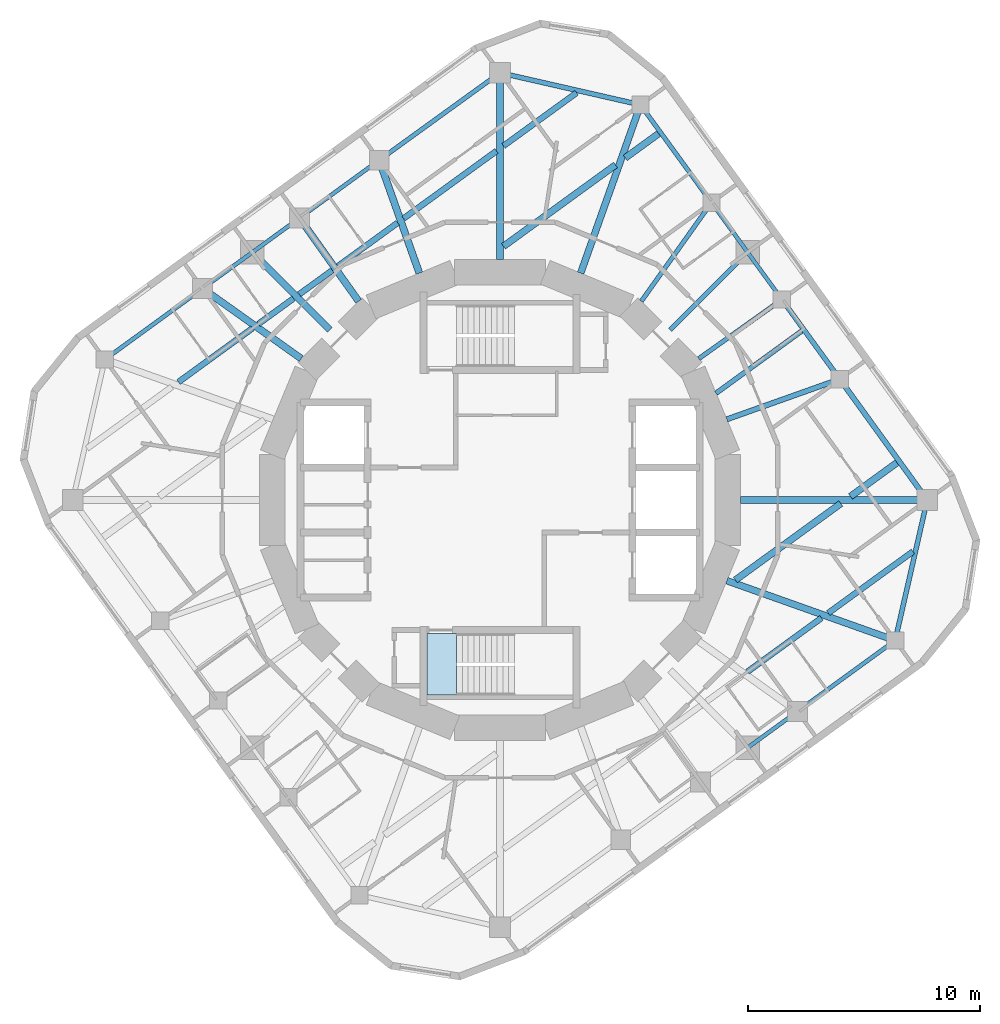
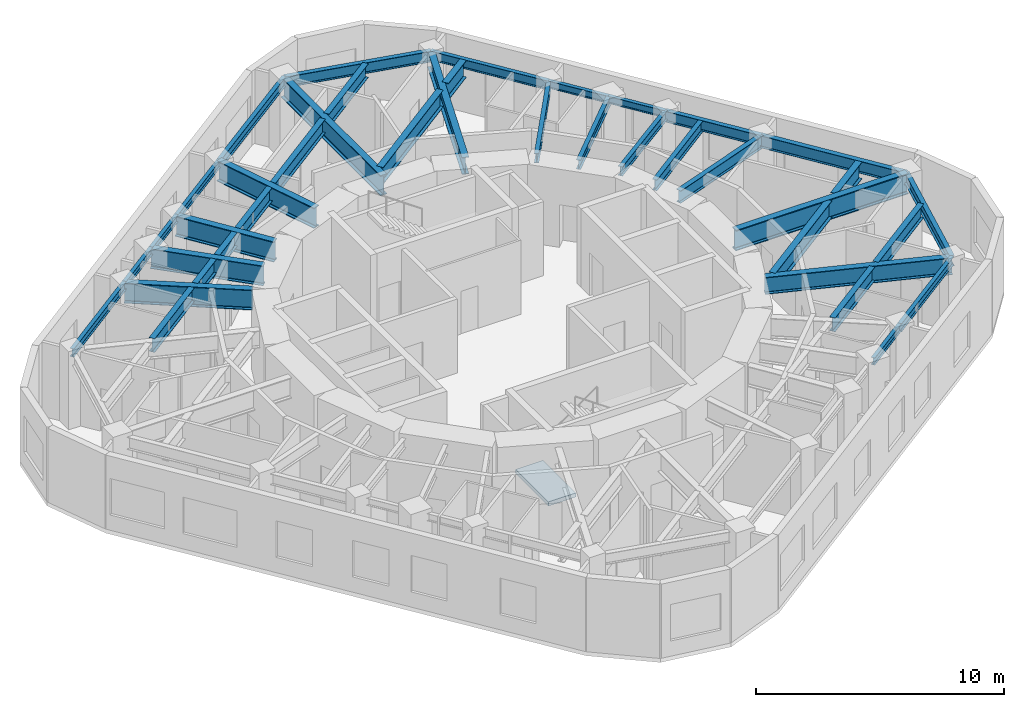
# One storey, part 2 of 9: 39 beams, 1 slab, 1 element without a shape of its own.
"""IFC4 building model written with IfcOpenShell, lengths in metres."""

from ifc_helpers import new_model, si_unit, direction, frame, origin, origin_2d, place, context, subcontext, project, spatial, polyline, i_section, outline, extrude, material, layer, layer_set, material_profile, profile_set, type_object, element, aggregate, save


model = new_model("IFC4")

# Units and contexts
model_context = context("Model", 3, precision=1e-05, world=origin(), true_north=direction((0.0, 1.0)))
body_context = subcontext(model_context, "Body", "Model", "MODEL_VIEW")
ifc_project = project(units=[si_unit("LENGTHUNIT", "METRE"), si_unit("AREAUNIT", "SQUARE_METRE"), si_unit("VOLUMEUNIT", "CUBIC_METRE"), si_unit("PLANEANGLEUNIT", "RADIAN"), si_unit("MASSUNIT", "GRAM", prefix="KILO")], contexts=[model_context])

# Site, building, storey
site_placement = place(None, origin())
site = spatial("IfcSite", under=ifc_project, at=site_placement, CompositionType="ELEMENT")
building_placement = place(site_placement, origin())
building = spatial("IfcBuilding", under=site, at=building_placement, Name="Nakasero Lantern House", CompositionType="ELEMENT")
storey_placement = place(building_placement, frame((0.0, 0.0, 294.550048828125)))
storey = spatial("IfcBuildingStorey", under=building, at=storey_placement, Name="L72", CompositionType="ELEMENT", Elevation=294.550048828125)

# Beams
ifc_material_1 = material(Name="Steel S355", Category="steel")
ifc_material_profile_1 = material_profile(ifc_material_1, i_section(OverallWidth=0.2099609375, OverallDepth=0.53662109375, WebThickness=0.0107421875, FlangeThickness=0.017333984375, FilletRadius=0.0126953125, at=origin_2d()), Name="UB 533x210x101")
ifc_profile_set_1 = profile_set([ifc_material_profile_1], Name="Steel S355")
beam_type_1 = type_object("IfcBeamType", Name="Infill beam UB 533x210x101", PredefinedType="JOIST", material=ifc_profile_set_1)
beam_1_placement = place(storey_placement, frame((9.306396484375, 4.598388671875, 3.381591796875), z_axis=(0.809018255439, 0.587783516583, 0.0), x_axis=(-0.587783516583, 0.809018255439, 0.0)))
element("IfcBeam", 1, at=beam_1_placement, inside=storey, type_object=beam_type_1, Name="Infill beam L73 06.1", PredefinedType="JOIST", context=body_context, shape_type="SweptSolid", body=[
    extrude(i_section(OverallWidth=0.2099609375, OverallDepth=0.53662109375, WebThickness=0.0107421875, FlangeThickness=0.017333984375, FilletRadius=0.0126953125, at=origin_2d()), origin(), (0.0, 0.0, 1.0), 4.563232421875),
])
ifc_material_2 = material(Name="Steel S355", Category="steel")
ifc_material_profile_2 = material_profile(ifc_material_2, i_section(OverallWidth=0.253662109375, OverallDepth=0.68359375, WebThickness=0.012451171875, FlangeThickness=0.01904296875, FilletRadius=0.01513671875, at=origin_2d()), Name="UB 686x254x140")
ifc_profile_set_2 = profile_set([ifc_material_profile_2], Name="Steel S355")
beam_type_2 = type_object("IfcBeamType", Name="Infill beam UB 686x254x140", PredefinedType="JOIST", material=ifc_profile_set_2)
beam_2_placement = place(storey_placement, frame((10.660400390625, -7.396728515625, 3.30810546875), z_axis=(0.809011841835, 0.58779234409, 0.0), x_axis=(-0.58779234409, 0.809011841835, 0.0)))
element("IfcBeam", 2, at=beam_2_placement, inside=storey, type_object=beam_type_2, Name="Infill beam L73 03.6", PredefinedType="JOIST", context=body_context, shape_type="SweptSolid", body=[
    extrude(i_section(OverallWidth=0.253662109375, OverallDepth=0.68359375, WebThickness=0.012451171875, FlangeThickness=0.01904296875, FilletRadius=0.01513671875, at=origin_2d()), origin(), (0.0, 0.0, 1.0), 3.942138671875),
])
beam_3_placement = place(storey_placement, frame((14.136474609375, -4.87109375, 3.30810546875), z_axis=(0.808998054221, 0.587811320295, 0.0), x_axis=(-0.587811320295, 0.808998054221, 0.0)))
element("IfcBeam", 3, at=beam_3_placement, inside=storey, type_object=beam_type_2, Name="Infill beam L73 03.7", PredefinedType="JOIST", context=body_context, shape_type="SweptSolid", body=[
    extrude(i_section(OverallWidth=0.253662109375, OverallDepth=0.68359375, WebThickness=0.012451171875, FlangeThickness=0.01904296875, FilletRadius=0.01513671875, at=origin_2d()), origin(), (0.0, 0.0, 1.0), 4.51220703125),
])
beam_4_placement = place(storey_placement, frame((-13.849609375, 5.07958984375, 3.30810546875), z_axis=(0.809011841835, 0.58779234409, 0.0), x_axis=(-0.58779234409, 0.809011841835, 0.0)))
element("IfcBeam", 4, at=beam_4_placement, inside=storey, type_object=beam_type_2, Name="Infill beam L73 10.2", PredefinedType="JOIST", context=body_context, shape_type="SweptSolid", body=[
    extrude(i_section(OverallWidth=0.253662109375, OverallDepth=0.68359375, WebThickness=0.012451171875, FlangeThickness=0.01904296875, FilletRadius=0.01513671875, at=origin_2d()), origin(), (0.0, 0.0, 1.0), 3.942138671875),
])
beam_5_placement = place(storey_placement, frame((-10.404296875, 7.582763671875, 3.30810546875), z_axis=(0.809080675426, 0.587697592859, 0.0), x_axis=(-0.587697592859, 0.809080675426, 0.0)))
element("IfcBeam", 5, at=beam_5_placement, inside=storey, type_object=beam_type_2, Name="Infill beam L73 10.3", PredefinedType="JOIST", context=body_context, shape_type="SweptSolid", body=[
    extrude(i_section(OverallWidth=0.253662109375, OverallDepth=0.68359375, WebThickness=0.012451171875, FlangeThickness=0.01904296875, FilletRadius=0.01513671875, at=origin_2d()), origin(), (0.0, 0.0, 1.0), 1.8681640625),
])
beam_6_placement = place(storey_placement, frame((-8.647216796875, 8.859375, 3.30810546875), z_axis=(0.80904738199, 0.587743425054, 0.0), x_axis=(-0.587743425054, 0.80904738199, 0.0)))
element("IfcBeam", 6, at=beam_6_placement, inside=storey, type_object=beam_type_2, Name="Infill beam L73 10.4", PredefinedType="JOIST", context=body_context, shape_type="SweptSolid", body=[
    extrude(i_section(OverallWidth=0.253662109375, OverallDepth=0.68359375, WebThickness=0.012451171875, FlangeThickness=0.01904296875, FilletRadius=0.01513671875, at=origin_2d()), origin(), (0.0, 0.0, 1.0), 1.762939453125),
])
beam_7_placement = place(storey_placement, frame((-6.978271484375, 10.07177734375, 3.30810546875), z_axis=(0.809038119983, 0.587756174288, 0.0), x_axis=(-0.587756174288, 0.809038119983, 0.0)))
element("IfcBeam", 7, at=beam_7_placement, inside=storey, type_object=beam_type_2, Name="Infill beam L73 10.5", PredefinedType="JOIST", context=body_context, shape_type="SweptSolid", body=[
    extrude(i_section(OverallWidth=0.253662109375, OverallDepth=0.68359375, WebThickness=0.012451171875, FlangeThickness=0.01904296875, FilletRadius=0.01513671875, at=origin_2d()), origin(), (0.0, 0.0, 1.0), 3.1796875),
])
beam_8_placement = place(storey_placement, frame((-4.151123046875, 12.125732421875, 3.30810546875), z_axis=(0.809000691709, 0.587807690333, 0.0), x_axis=(-0.587807690333, 0.809000691709, 0.0)))
element("IfcBeam", 8, at=beam_8_placement, inside=storey, type_object=beam_type_2, Name="Infill beam L73 10.6", PredefinedType="JOIST", context=body_context, shape_type="SweptSolid", body=[
    extrude(i_section(OverallWidth=0.253662109375, OverallDepth=0.68359375, WebThickness=0.012451171875, FlangeThickness=0.01904296875, FilletRadius=0.01513671875, at=origin_2d()), origin(), (0.0, 0.0, 1.0), 4.94580078125),
])
beam_9_placement = place(storey_placement, frame((0.14990234375, 15.250732421875, 3.30810546875), z_axis=(0.808996267662, 0.587813779107, 0.0), x_axis=(-0.587813779107, 0.808996267662, 0.0)))
element("IfcBeam", 9, at=beam_9_placement, inside=storey, type_object=beam_type_2, Name="Infill beam L73 10.7", PredefinedType="JOIST", context=body_context, shape_type="SweptSolid", body=[
    extrude(i_section(OverallWidth=0.253662109375, OverallDepth=0.68359375, WebThickness=0.012451171875, FlangeThickness=0.01904296875, FilletRadius=0.01513671875, at=origin_2d()), origin(), (0.0, 0.0, 1.0), 3.894287109375),
])
ifc_material_3 = material(Name="Steel S355", Category="steel")
ifc_material_profile_3 = material_profile(ifc_material_3, i_section(OverallWidth=0.29248046875, OverallDepth=0.8408203125, WebThickness=0.0146484375, FlangeThickness=0.02685546875, FilletRadius=0.017822265625, at=origin_2d()), Name="UB 838x292x194")
ifc_profile_set_3 = profile_set([ifc_material_profile_3], Name="Steel S355")
beam_type_3 = type_object("IfcBeamType", Name="Infill beam UB 838x292x194", PredefinedType="JOIST", material=ifc_profile_set_3)
beam_10_placement = place(storey_placement, frame((10.138427734375, -3.44970703125, 3.2294921875), z_axis=(0.809023858621, 0.587775804352, 0.0), x_axis=(-0.587775804352, 0.809023858621, 0.0)))
element("IfcBeam", 10, at=beam_10_placement, inside=storey, type_object=beam_type_3, Name="Infill beam L73 04.3", PredefinedType="JOIST", context=body_context, shape_type="SweptSolid", body=[
    extrude(i_section(OverallWidth=0.29248046875, OverallDepth=0.8408203125, WebThickness=0.0146484375, FlangeThickness=0.02685546875, FilletRadius=0.017822265625, at=origin_2d()), origin(), (0.0, 0.0, 1.0), 5.611083984375),
])
beam_11_placement = place(storey_placement, frame((15.094970703125, 0.151611328125, 3.2294921875), z_axis=(0.809008944548, 0.587796331769, 0.0), x_axis=(-0.587796331769, 0.809008944548, 0.0)))
element("IfcBeam", 11, at=beam_11_placement, inside=storey, type_object=beam_type_3, Name="Infill beam L73 04.4", PredefinedType="JOIST", context=body_context, shape_type="SweptSolid", body=[
    extrude(i_section(OverallWidth=0.29248046875, OverallDepth=0.8408203125, WebThickness=0.0146484375, FlangeThickness=0.02685546875, FilletRadius=0.017822265625, at=origin_2d()), origin(), (0.0, 0.0, 1.0), 2.4755859375),
])
beam_12_placement = place(storey_placement, frame((0.14990234375, 10.924560546875, 3.2294921875), z_axis=(0.809028012961, 0.587770086211, 0.0), x_axis=(-0.587770086211, 0.809028012961, 0.0)))
element("IfcBeam", 12, at=beam_12_placement, inside=storey, type_object=beam_type_3, Name="Infill beam L73 09.3", PredefinedType="JOIST", context=body_context, shape_type="SweptSolid", body=[
    extrude(i_section(OverallWidth=0.29248046875, OverallDepth=0.8408203125, WebThickness=0.0146484375, FlangeThickness=0.02685546875, FilletRadius=0.017822265625, at=origin_2d()), origin(), (0.0, 0.0, 1.0), 5.965087890625),
])
beam_13_placement = place(storey_placement, frame((5.394287109375, 14.734619140625, 3.2294921875), z_axis=(0.809008801443, 0.587796528731, 0.0), x_axis=(-0.587796528731, 0.809008801443, 0.0)))
element("IfcBeam", 13, at=beam_13_placement, inside=storey, type_object=beam_type_3, Name="Infill beam L73 09.4", PredefinedType="JOIST", context=body_context, shape_type="SweptSolid", body=[
    extrude(i_section(OverallWidth=0.29248046875, OverallDepth=0.8408203125, WebThickness=0.0146484375, FlangeThickness=0.02685546875, FilletRadius=0.017822265625, at=origin_2d()), origin(), (0.0, 0.0, 1.0), 1.7802734375),
])
ifc_material_4 = material(Name="Steel S355", Category="steel")
ifc_material_profile_4 = material_profile(ifc_material_4, i_section(OverallWidth=0.300048828125, OverallDepth=0.97998046875, WebThickness=0.0166015625, FlangeThickness=0.02587890625, FilletRadius=0.030029296875, at=origin_2d()), Name="UB 1016x305x249")
ifc_profile_set_4 = profile_set([ifc_material_profile_4], Name="Steel S355")
beam_type_4 = type_object("IfcBeamType", Name="Primary beam UB 1016x305x249, span to 6 m", PredefinedType="BEAM", material=ifc_profile_set_4)
beam_14_placement = place(storey_placement, frame((-10.667236328125, 10.667236328125, 3.159912109375), z_axis=(0.707106781187, -0.707106781187, 0.0), x_axis=(0.707106781187, 0.707106781187, 0.0)))
element("IfcBeam", 14, at=beam_14_placement, inside=storey, type_object=beam_type_4, Name="Primary beam L73 B7-C12", PredefinedType="BEAM", context=body_context, shape_type="SweptSolid", body=[
    extrude(i_section(OverallWidth=0.300048828125, OverallDepth=0.97998046875, WebThickness=0.0166015625, FlangeThickness=0.02587890625, FilletRadius=0.030029296875, at=origin_2d()), origin(), (0.0, 0.0, 1.0), 4.727783203125),
])
ifc_material_5 = material(Name="Steel S355", Category="steel")
ifc_material_profile_5 = material_profile(ifc_material_5, i_section(OverallWidth=0.300048828125, OverallDepth=0.989990234375, WebThickness=0.0166015625, FlangeThickness=0.031005859375, FilletRadius=0.030029296875, at=origin_2d()), Name="UB 1016x305x272")
ifc_profile_set_5 = profile_set([ifc_material_profile_5], Name="Steel S355")
beam_type_5 = type_object("IfcBeamType", Name="Primary beam UB 1016x305x272, span to 6 m", PredefinedType="BEAM", material=ifc_profile_set_5)
beam_15_placement = place(storey_placement, frame((-12.810791015625, 9.10986328125, 3.15478515625), z_axis=(0.814971537688, -0.579500985986, 0.0), x_axis=(0.579500985986, 0.814971537688, 0.0)))
element("IfcBeam", 15, at=beam_15_placement, inside=storey, type_object=beam_type_5, Name="Primary beam L73 B7-C13", PredefinedType="BEAM", context=body_context, shape_type="SweptSolid", body=[
    extrude(i_section(OverallWidth=0.300048828125, OverallDepth=0.989990234375, WebThickness=0.0166015625, FlangeThickness=0.031005859375, FilletRadius=0.030029296875, at=origin_2d()), origin(), (0.0, 0.0, 1.0), 5.215087890625),
])
ifc_material_6 = material(Name="Steel S355", Category="steel")
ifc_material_profile_6 = material_profile(ifc_material_6, i_section(OverallWidth=0.300048828125, OverallDepth=1.0, WebThickness=0.01904296875, FlangeThickness=0.035888671875, FilletRadius=0.030029296875, at=origin_2d()), Name="UB 1016x305x314")
ifc_profile_set_6 = profile_set([ifc_material_profile_6], Name="Steel S355")
beam_type_6 = type_object("IfcBeamType", Name="Primary beam UB 1016x305x314, span 6 to 9 m", PredefinedType="BEAM", material=ifc_profile_set_6)
beam_16_placement = place(storey_placement, frame((0.0, 18.39990234375, 3.14990234375), z_axis=(0.0, -1.0, 0.0), x_axis=(1.0, 0.0, 0.0)))
element("IfcBeam", 16, at=beam_16_placement, inside=storey, type_object=beam_type_6, Name="Primary beam L73 B7-C09", PredefinedType="BEAM", context=body_context, shape_type="SweptSolid", body=[
    extrude(i_section(OverallWidth=0.300048828125, OverallDepth=1.0, WebThickness=0.01904296875, FlangeThickness=0.035888671875, FilletRadius=0.030029296875, at=origin_2d()), origin(), (0.0, 0.0, 1.0), 8.0419921875),
])
ifc_material_7 = material(Name="Steel S355", Category="steel")
ifc_material_profile_7 = material_profile(ifc_material_7, i_section(OverallWidth=0.300048828125, OverallDepth=1.0, WebThickness=0.01904296875, FlangeThickness=0.035888671875, FilletRadius=0.030029296875, at=origin_2d()), Name="UB 1016x305x314")
ifc_profile_set_7 = profile_set([ifc_material_profile_7], Name="Steel S355")
beam_type_7 = type_object("IfcBeamType", Name="Primary beam UB 1016x305x314, span to 6 m", PredefinedType="BEAM", material=ifc_profile_set_7)
beam_17_placement = place(storey_placement, frame((-8.63525390625, 12.1435546875, 3.14990234375), z_axis=(0.579477068537, -0.814988544116, 0.0), x_axis=(0.814988544116, 0.579477068537, 0.0)))
element("IfcBeam", 17, at=beam_17_placement, inside=storey, type_object=beam_type_7, Name="Primary beam L73 B7-C11", PredefinedType="BEAM", context=body_context, shape_type="SweptSolid", body=[
    extrude(i_section(OverallWidth=0.300048828125, OverallDepth=1.0, WebThickness=0.01904296875, FlangeThickness=0.035888671875, FilletRadius=0.030029296875, at=origin_2d()), origin(), (0.0, 0.0, 1.0), 4.396484375),
])
ifc_material_8 = material(Name="Steel S355", Category="steel")
ifc_material_profile_8 = material_profile(ifc_material_8, i_section(OverallWidth=0.302001953125, OverallDepth=1.008056640625, WebThickness=0.02099609375, FlangeThickness=0.0400390625, FilletRadius=0.030029296875, at=origin_2d()), Name="UB 1016x305x349")
ifc_profile_set_8 = profile_set([ifc_material_profile_8], Name="Steel S355")
beam_type_8 = type_object("IfcBeamType", Name="Primary beam UB 1016x305x349, span to 6 m", PredefinedType="BEAM", material=ifc_profile_set_8)
beam_18_placement = place(storey_placement, frame((-5.2041015625, 14.636474609375, 3.14599609375), z_axis=(0.3349910093, -0.942221324153, 0.0), x_axis=(0.942221324153, 0.3349910093, 0.0)))
element("IfcBeam", 18, at=beam_18_placement, inside=storey, type_object=beam_type_8, Name="Primary beam L73 B7-C10", PredefinedType="BEAM", context=body_context, shape_type="SweptSolid", body=[
    extrude(i_section(OverallWidth=0.302001953125, OverallDepth=1.008056640625, WebThickness=0.02099609375, FlangeThickness=0.0400390625, FilletRadius=0.030029296875, at=origin_2d()), origin(), (0.0, 0.0, 1.0), 5.162841796875),
])
ifc_material_9 = material(Name="Steel S355", Category="steel")
ifc_material_profile_9 = material_profile(ifc_material_9, i_section(OverallWidth=0.302978515625, OverallDepth=1.015869140625, WebThickness=0.0244140625, FlangeThickness=0.0439453125, FilletRadius=0.030029296875, at=origin_2d()), Name="UB 1016x305x393")
ifc_profile_set_9 = profile_set([ifc_material_profile_9], Name="Steel S355")
beam_type_9 = type_object("IfcBeamType", Name="Primary beam UB 1016x305x393, span 6 to 9 m", PredefinedType="BEAM", material=ifc_profile_set_9)
beam_19_placement = place(storey_placement, frame((18.39990234375, 0.0, 3.14208984375), z_axis=(-1.0, 0.0, 0.0), x_axis=(0.0, -1.0, 0.0)))
element("IfcBeam", 19, at=beam_19_placement, inside=storey, type_object=beam_type_9, Name="Primary beam L73 B7-C03", PredefinedType="BEAM", context=body_context, shape_type="SweptSolid", body=[
    extrude(i_section(OverallWidth=0.302978515625, OverallDepth=1.015869140625, WebThickness=0.0244140625, FlangeThickness=0.0439453125, FilletRadius=0.030029296875, at=origin_2d()), origin(), (0.0, 0.0, 1.0), 8.0419921875),
])
ifc_material_10 = material(Name="Steel S355", Category="steel")
ifc_material_profile_10 = material_profile(ifc_material_10, i_section(OverallWidth=0.19140625, OverallDepth=0.4599609375, WebThickness=0.010009765625, FlangeThickness=0.01611328125, FilletRadius=0.01025390625, at=origin_2d()), Name="UB 457x191x82")
ifc_profile_set_10 = profile_set([ifc_material_profile_10], Name="Steel S355")
beam_type_10 = type_object("IfcBeamType", Name="Primary beam UB 457x191x82, span to 6 m", PredefinedType="BEAM", material=ifc_profile_set_10)
beam_20_placement = place(storey_placement, frame((12.1435546875, 8.63525390625, 3.419921875), z_axis=(-0.814988544116, -0.579477068537, 0.0), x_axis=(0.579477068537, -0.814988544116, 0.0)))
element("IfcBeam", 20, at=beam_20_placement, inside=storey, type_object=beam_type_10, Name="Primary beam L73 B7-C05", PredefinedType="BEAM", context=body_context, shape_type="SweptSolid", body=[
    extrude(i_section(OverallWidth=0.19140625, OverallDepth=0.4599609375, WebThickness=0.010009765625, FlangeThickness=0.01611328125, FilletRadius=0.01025390625, at=origin_2d()), origin(), (0.0, 0.0, 1.0), 4.396484375),
])
beam_21_placement = place(storey_placement, frame((10.667236328125, 10.667236328125, 3.419921875), z_axis=(-0.707106781187, -0.707106781187, 0.0), x_axis=(0.707106781187, -0.707106781187, 0.0)))
element("IfcBeam", 21, at=beam_21_placement, inside=storey, type_object=beam_type_10, Name="Primary beam L73 B7-C06", PredefinedType="BEAM", context=body_context, shape_type="SweptSolid", body=[
    extrude(i_section(OverallWidth=0.19140625, OverallDepth=0.4599609375, WebThickness=0.010009765625, FlangeThickness=0.01611328125, FilletRadius=0.01025390625, at=origin_2d()), origin(), (0.0, 0.0, 1.0), 4.727783203125),
])
beam_22_placement = place(storey_placement, frame((9.10986328125, 12.810791015625, 3.419921875), z_axis=(-0.579500985986, -0.814971537688, 0.0), x_axis=(0.814971537688, -0.579500985986, 0.0)))
element("IfcBeam", 22, at=beam_22_placement, inside=storey, type_object=beam_type_10, Name="Primary beam L73 B7-C07", PredefinedType="BEAM", context=body_context, shape_type="SweptSolid", body=[
    extrude(i_section(OverallWidth=0.19140625, OverallDepth=0.4599609375, WebThickness=0.010009765625, FlangeThickness=0.01611328125, FilletRadius=0.01025390625, at=origin_2d()), origin(), (0.0, 0.0, 1.0), 5.215087890625),
])
ifc_material_11 = material(Name="Steel S355", Category="steel")
ifc_material_profile_11 = material_profile(ifc_material_11, i_section(OverallWidth=0.22900390625, OverallDepth=0.6123046875, WebThickness=0.011962890625, FlangeThickness=0.01953125, FilletRadius=0.0126953125, at=origin_2d()), Name="UB 610x229x125")
ifc_profile_set_11 = profile_set([ifc_material_profile_11], Name="Steel S355")
beam_type_11 = type_object("IfcBeamType", Name="Primary beam UB 610x229x125, span to 6 m", PredefinedType="BEAM", material=ifc_profile_set_11)
beam_23_placement = place(storey_placement, frame((14.636474609375, 5.2041015625, 3.34375), z_axis=(-0.942221324153, -0.3349910093, 0.0), x_axis=(0.3349910093, -0.942221324153, 0.0)))
element("IfcBeam", 23, at=beam_23_placement, inside=storey, type_object=beam_type_11, Name="Primary beam L73 B7-C04", PredefinedType="BEAM", context=body_context, shape_type="SweptSolid", body=[
    extrude(i_section(OverallWidth=0.22900390625, OverallDepth=0.6123046875, WebThickness=0.011962890625, FlangeThickness=0.01953125, FilletRadius=0.0126953125, at=origin_2d()), origin(), (0.0, 0.0, 1.0), 5.162841796875),
])
ifc_material_12 = material(Name="Steel S355", Category="steel")
ifc_material_profile_12 = material_profile(ifc_material_12, i_section(OverallWidth=0.29248046875, OverallDepth=0.8408203125, WebThickness=0.0146484375, FlangeThickness=0.02685546875, FilletRadius=0.017822265625, at=origin_2d()), Name="UB 838x292x194")
ifc_profile_set_12 = profile_set([ifc_material_profile_12], Name="Steel S355")
beam_type_12 = type_object("IfcBeamType", Name="Primary beam UB 838x292x194, span 6 to 9 m", PredefinedType="BEAM", material=ifc_profile_set_12)
for number, where, z_axis, x_axis, name in (
    (24, (17.02001953125, -6.051513671875, 3.2294921875), (-0.942222036561, 0.334989005521, 0.0), (-0.334989005521, -0.942222036561, 0.0), "Primary beam L73 B7-C02"),
    (25, (6.051513671875, 17.02001953125, 3.2294921875), (-0.334989005521, -0.942222036561, 0.0), (0.942222036561, -0.334989005521, 0.0), "Primary beam L73 B7-C08"),
):
    element("IfcBeam", number, at=place(storey_placement, frame(where, z_axis=z_axis, x_axis=x_axis)), inside=storey, type_object=beam_type_12, Name=name, PredefinedType="BEAM", context=body_context, shape_type="SweptSolid", body=[
        extrude(i_section(OverallWidth=0.29248046875, OverallDepth=0.8408203125, WebThickness=0.0146484375, FlangeThickness=0.02685546875, FilletRadius=0.017822265625, at=origin_2d()), origin(), (0.0, 0.0, 1.0), 7.6923828125),
    ])
ifc_material_13 = material(Name="Steel S355", Category="steel")
ifc_material_profile_13 = material_profile(ifc_material_13, i_section(OverallWidth=0.17138671875, OverallDepth=0.35498046875, WebThickness=0.00732421875, FlangeThickness=0.011474609375, FilletRadius=0.01025390625, at=origin_2d()), Name="UB 356x171x51")
ifc_profile_set_13 = profile_set([ifc_material_profile_13], Name="Steel S355")
beam_type_13 = type_object("IfcBeamType", Name="Ring beam UB 356x171x51", PredefinedType="BEAM", material=ifc_profile_set_13)
beam_24_placement = place(storey_placement, frame((12.1435546875, 8.63525390625, 3.472412109375), z_axis=(-0.58778439593, 0.809017616558, 0.0), x_axis=(-0.809017616558, -0.58778439593, 0.0)))
element("IfcBeam", 26, at=beam_24_placement, inside=storey, type_object=beam_type_13, Name="Ring beam L73 B7-C05", PredefinedType="BEAM", context=body_context, shape_type="SweptSolid", body=[
    extrude(i_section(OverallWidth=0.17138671875, OverallDepth=0.35498046875, WebThickness=0.00732421875, FlangeThickness=0.011474609375, FilletRadius=0.01025390625, at=origin_2d()), origin(), (0.0, 0.0, 1.0), 2.51171875),
])
beam_25_placement = place(storey_placement, frame((10.667236328125, 10.667236328125, 3.472412109375), z_axis=(-0.587782635143, 0.809018895839, 0.0), x_axis=(-0.809018895839, -0.587782635143, 0.0)))
element("IfcBeam", 27, at=beam_25_placement, inside=storey, type_object=beam_type_13, Name="Ring beam L73 B7-C06", PredefinedType="BEAM", context=body_context, shape_type="SweptSolid", body=[
    extrude(i_section(OverallWidth=0.17138671875, OverallDepth=0.35498046875, WebThickness=0.00732421875, FlangeThickness=0.011474609375, FilletRadius=0.01025390625, at=origin_2d()), origin(), (0.0, 0.0, 1.0), 2.649658203125),
])
beam_26_placement = place(storey_placement, frame((-5.2041015625, 14.636474609375, 3.472412109375), z_axis=(-0.809012304944, -0.587791706687, 0.0), x_axis=(0.587791706687, -0.809012304944, 0.0)))
element("IfcBeam", 28, at=beam_26_placement, inside=storey, type_object=beam_type_13, Name="Ring beam L73 B7-C10", PredefinedType="BEAM", context=body_context, shape_type="SweptSolid", body=[
    extrude(i_section(OverallWidth=0.17138671875, OverallDepth=0.35498046875, WebThickness=0.00732421875, FlangeThickness=0.011474609375, FilletRadius=0.01025390625, at=origin_2d()), origin(), (0.0, 0.0, 1.0), 4.2412109375),
])
beam_27_placement = place(storey_placement, frame((-8.63525390625, 12.1435546875, 3.472412109375), z_axis=(-0.809017616558, -0.58778439593, 0.0), x_axis=(0.58778439593, -0.809017616558, 0.0)))
element("IfcBeam", 29, at=beam_27_placement, inside=storey, type_object=beam_type_13, Name="Ring beam L73 B7-C11", PredefinedType="BEAM", context=body_context, shape_type="SweptSolid", body=[
    extrude(i_section(OverallWidth=0.17138671875, OverallDepth=0.35498046875, WebThickness=0.00732421875, FlangeThickness=0.011474609375, FilletRadius=0.01025390625, at=origin_2d()), origin(), (0.0, 0.0, 1.0), 2.51171875),
])
for number, where, z_axis, x_axis, name in (
    (30, (-10.667236328125, 10.667236328125, 3.472412109375), (-0.809018895839, -0.587782635143, 0.0), (0.587782635143, -0.809018895839, 0.0), "Ring beam L73 B7-C12"),
    (31, (10.667236328125, -10.667236328125, 3.472412109375), (0.809018895839, 0.587782635143, 0.0), (-0.587782635143, 0.809018895839, 0.0), "Ring beam L73 B7-C24"),
):
    element("IfcBeam", number, at=place(storey_placement, frame(where, z_axis=z_axis, x_axis=x_axis)), inside=storey, type_object=beam_type_13, Name=name, PredefinedType="BEAM", context=body_context, shape_type="SweptSolid", body=[
        extrude(i_section(OverallWidth=0.17138671875, OverallDepth=0.35498046875, WebThickness=0.00732421875, FlangeThickness=0.011474609375, FilletRadius=0.01025390625, at=origin_2d()), origin(), (0.0, 0.0, 1.0), 2.649658203125),
    ])
ifc_material_14 = material(Name="Steel S355", Category="steel")
ifc_material_profile_14 = material_profile(ifc_material_14, i_section(OverallWidth=0.177978515625, OverallDepth=0.406494140625, WebThickness=0.0078125, FlangeThickness=0.0126953125, FilletRadius=0.01025390625, at=origin_2d()), Name="UB 406x178x60")
ifc_profile_set_14 = profile_set([ifc_material_profile_14], Name="Steel S355")
beam_type_14 = type_object("IfcBeamType", Name="Ring beam UB 406x178x60", PredefinedType="BEAM", material=ifc_profile_set_14)
for number, where, z_axis, x_axis, name in (
    (32, (12.810791015625, -9.10986328125, 3.44677734375), (0.809001814948, 0.587806144414, 0.0), (-0.587806144414, 0.809001814948, 0.0), "Ring beam L73 B7-C01"),
    (33, (-12.810791015625, 9.10986328125, 3.44677734375), (-0.809001814948, -0.587806144414, 0.0), (0.587806144414, -0.809001814948, 0.0), "Ring beam L73 B7-C13"),
):
    element("IfcBeam", number, at=place(storey_placement, frame(where, z_axis=z_axis, x_axis=x_axis)), inside=storey, type_object=beam_type_14, Name=name, PredefinedType="BEAM", context=body_context, shape_type="SweptSolid", body=[
        extrude(i_section(OverallWidth=0.177978515625, OverallDepth=0.406494140625, WebThickness=0.0078125, FlangeThickness=0.0126953125, FilletRadius=0.01025390625, at=origin_2d()), origin(), (0.0, 0.0, 1.0), 5.202880859375),
    ])
ifc_material_15 = material(Name="Steel S355", Category="steel")
ifc_material_profile_15 = material_profile(ifc_material_15, i_section(OverallWidth=0.18994140625, OverallDepth=0.453369140625, WebThickness=0.008544921875, FlangeThickness=0.0126953125, FilletRadius=0.01025390625, at=origin_2d()), Name="UB 457x191x67")
ifc_profile_set_15 = profile_set([ifc_material_profile_15], Name="Steel S355")
beam_type_15 = type_object("IfcBeamType", Name="Ring beam UB 457x191x67", PredefinedType="BEAM", material=ifc_profile_set_15)
beam_28_placement = place(storey_placement, frame((9.10986328125, 12.810791015625, 3.42333984375), z_axis=(-0.587806144414, 0.809001814948, 0.0), x_axis=(-0.809001814948, -0.587806144414, 0.0)))
element("IfcBeam", 34, at=beam_28_placement, inside=storey, type_object=beam_type_15, Name="Ring beam L73 B7-C07", PredefinedType="BEAM", context=body_context, shape_type="SweptSolid", body=[
    extrude(i_section(OverallWidth=0.18994140625, OverallDepth=0.453369140625, WebThickness=0.008544921875, FlangeThickness=0.0126953125, FilletRadius=0.01025390625, at=origin_2d()), origin(), (0.0, 0.0, 1.0), 5.202880859375),
])
ifc_material_16 = material(Name="Steel S355", Category="steel")
ifc_material_profile_16 = material_profile(ifc_material_16, i_section(OverallWidth=0.19140625, OverallDepth=0.4599609375, WebThickness=0.010009765625, FlangeThickness=0.01611328125, FilletRadius=0.01025390625, at=origin_2d()), Name="UB 457x191x82")
ifc_profile_set_16 = profile_set([ifc_material_profile_16], Name="Steel S355")
beam_type_16 = type_object("IfcBeamType", Name="Ring beam UB 457x191x82", PredefinedType="BEAM", material=ifc_profile_set_16)
beam_29_placement = place(storey_placement, frame((0.0, 18.39990234375, 3.419921875), z_axis=(-0.810316200404, -0.58599287996, 0.0), x_axis=(0.58599287996, -0.810316200404, 0.0)))
element("IfcBeam", 35, at=beam_29_placement, inside=storey, type_object=beam_type_16, Name="Ring beam L73 B7-C09", PredefinedType="BEAM", context=body_context, shape_type="SweptSolid", body=[
    extrude(i_section(OverallWidth=0.19140625, OverallDepth=0.4599609375, WebThickness=0.010009765625, FlangeThickness=0.01611328125, FilletRadius=0.01025390625, at=origin_2d()), origin(), (0.0, 0.0, 1.0), 6.42236328125),
])
ifc_material_17 = material(Name="Steel S355", Category="steel")
ifc_material_profile_17 = material_profile(ifc_material_17, i_section(OverallWidth=0.2099609375, OverallDepth=0.53662109375, WebThickness=0.0107421875, FlangeThickness=0.017333984375, FilletRadius=0.0126953125, at=origin_2d()), Name="UB 533x210x101")
ifc_profile_set_17 = profile_set([ifc_material_profile_17], Name="Steel S355")
beam_type_17 = type_object("IfcBeamType", Name="Ring beam UB 533x210x101", PredefinedType="BEAM", material=ifc_profile_set_17)
beam_30_placement = place(storey_placement, frame((14.636474609375, 5.2041015625, 3.381591796875), z_axis=(-0.587791706687, 0.809012304944, 0.0), x_axis=(-0.809012304944, -0.587791706687, 0.0)))
element("IfcBeam", 36, at=beam_30_placement, inside=storey, type_object=beam_type_17, Name="Ring beam L73 B7-C04", PredefinedType="BEAM", context=body_context, shape_type="SweptSolid", body=[
    extrude(i_section(OverallWidth=0.2099609375, OverallDepth=0.53662109375, WebThickness=0.0107421875, FlangeThickness=0.017333984375, FilletRadius=0.0126953125, at=origin_2d()), origin(), (0.0, 0.0, 1.0), 4.2412109375),
])
beam_31_placement = place(storey_placement, frame((6.051513671875, 17.02001953125, 3.381591796875), z_axis=(-0.974974575944, 0.222316387753, 0.0), x_axis=(-0.222316387753, -0.974974575944, 0.0)))
element("IfcBeam", 37, at=beam_31_placement, inside=storey, type_object=beam_type_17, Name="Ring beam L73 B7-C08", PredefinedType="BEAM", context=body_context, shape_type="SweptSolid", body=[
    extrude(i_section(OverallWidth=0.2099609375, OverallDepth=0.53662109375, WebThickness=0.0107421875, FlangeThickness=0.017333984375, FilletRadius=0.0126953125, at=origin_2d()), origin(), (0.0, 0.0, 1.0), 6.206787109375),
])
ifc_material_18 = material(Name="Steel S355", Category="steel")
ifc_material_profile_18 = material_profile(ifc_material_18, i_section(OverallWidth=0.208740234375, OverallDepth=0.5283203125, WebThickness=0.009521484375, FlangeThickness=0.01318359375, FilletRadius=0.0126953125, at=origin_2d()), Name="UB 533x210x82")
ifc_profile_set_18 = profile_set([ifc_material_profile_18], Name="Steel S355")
beam_type_18 = type_object("IfcBeamType", Name="Ring beam UB 533x210x82", PredefinedType="BEAM", material=ifc_profile_set_18)
beam_32_placement = place(storey_placement, frame((17.02001953125, -6.051513671875, 3.3857421875), z_axis=(0.222316387753, 0.974974575944, 0.0), x_axis=(-0.974974575944, 0.222316387753, 0.0)))
element("IfcBeam", 38, at=beam_32_placement, inside=storey, type_object=beam_type_18, Name="Ring beam L73 B7-C02", PredefinedType="BEAM", context=body_context, shape_type="SweptSolid", body=[
    extrude(i_section(OverallWidth=0.208740234375, OverallDepth=0.5283203125, WebThickness=0.009521484375, FlangeThickness=0.01318359375, FilletRadius=0.0126953125, at=origin_2d()), origin(), (0.0, 0.0, 1.0), 6.206787109375),
])
ifc_material_19 = material(Name="Steel S355", Category="steel")
ifc_material_profile_19 = material_profile(ifc_material_19, i_section(OverallWidth=0.2275390625, OverallDepth=0.6025390625, WebThickness=0.010498046875, FlangeThickness=0.014892578125, FilletRadius=0.0126953125, at=origin_2d()), Name="UB 610x229x101")
ifc_profile_set_19 = profile_set([ifc_material_profile_19], Name="Steel S355")
beam_type_19 = type_object("IfcBeamType", Name="Ring beam UB 610x229x101", PredefinedType="BEAM", material=ifc_profile_set_19)
beam_33_placement = place(storey_placement, frame((18.39990234375, 0.0, 3.3486328125), z_axis=(-0.58599287996, 0.810316200404, 0.0), x_axis=(-0.810316200404, -0.58599287996, 0.0)))
element("IfcBeam", 39, at=beam_33_placement, inside=storey, type_object=beam_type_19, Name="Ring beam L73 B7-C03", PredefinedType="BEAM", context=body_context, shape_type="SweptSolid", body=[
    extrude(i_section(OverallWidth=0.2275390625, OverallDepth=0.6025390625, WebThickness=0.010498046875, FlangeThickness=0.014892578125, FilletRadius=0.0126953125, at=origin_2d()), origin(), (0.0, 0.0, 1.0), 6.42236328125),
])

# Stair, slab
ifc_material_20 = material(Name="Concrete C40/50", Category="concrete")
stair_type = type_object("IfcStairType", Name="Escape stair ST2 22 risers", PredefinedType="HALF_TURN_STAIR", material=ifc_material_20)
stair_placement = place(storey_placement, origin())
stair = element("IfcStair", 40, at=stair_placement, inside=storey, type_object=stair_type, Name="Escape stair ST2 L72", PredefinedType="HALF_TURN_STAIR")
ifc_material_21 = material(Name="Concrete C40/50", Category="concrete")
ifc_layer = layer(ifc_material_21, 0.199951171875)
ifc_layer_set = layer_set([ifc_layer], Name="Stair landing 200")
slab_type = type_object("IfcSlabType", Name="Stair landing 200", PredefinedType="LANDING", material=ifc_layer_set)
slab_placement = place(storey_placement, frame((0.0, 0.0, -0.199951171875)))
slab = element("IfcSlab", 41, at=slab_placement, type_object=slab_type, Name="ST2 landing 1", PredefinedType="LANDING", context=body_context, shape_type="SweptSolid", body=[
    extrude(outline(polyline([(-3.14990234375, -8.39990234375), (-1.875, -8.39990234375), (-1.875, -5.75), (-3.14990234375, -5.75), (-3.14990234375, -8.39990234375)])), origin(), (0.0, 0.0, 1.0), 0.199951171875),
])
aggregate(stair, [slab])

save(model, "model.ifc")
